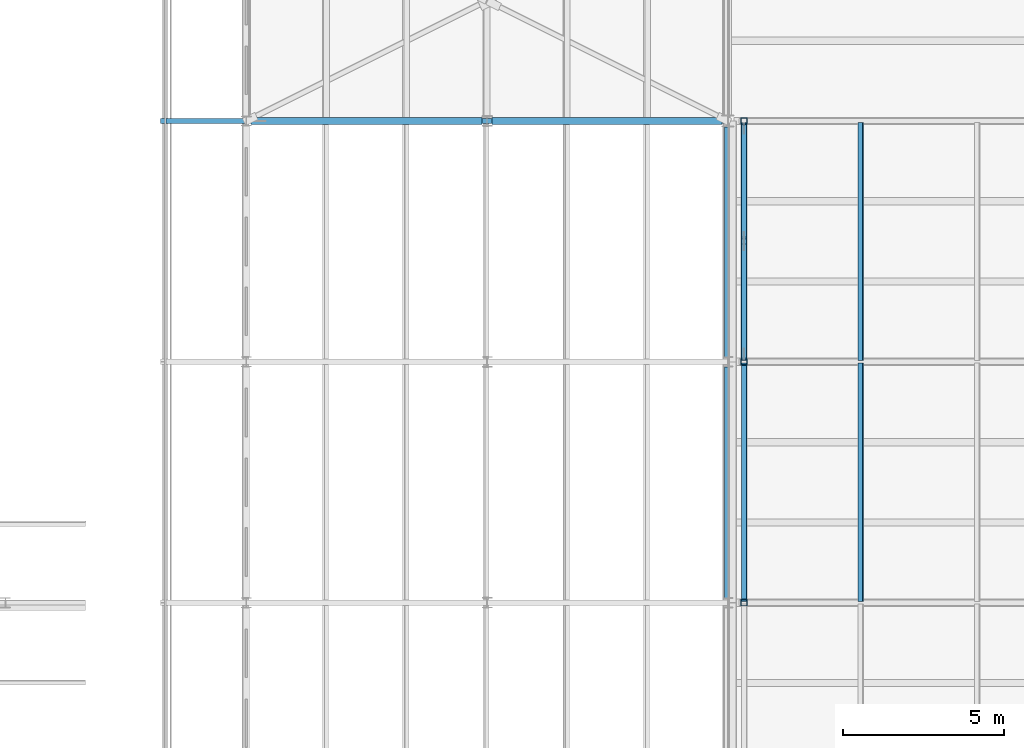
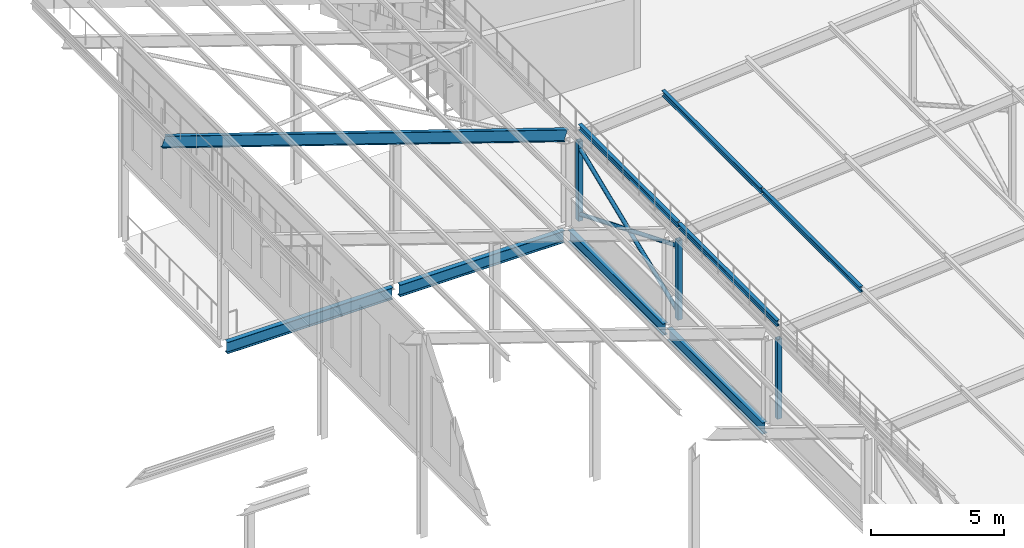
# One storey, part 71 of 483: 10 members, 5 beams.
"""IFC4 building model written with IfcOpenShell, lengths in metres."""

import ifcopenshell
import ifcopenshell.guid

model = None  # the IFC model being written
_history = None  # IfcOwnerHistory: only IFC2X3 demands one
_inside = {}  # id of a spatial element -> (the spatial element, [elements in it])
_under = {}  # id of a project, library or spatial element -> (it, [spatial elements below it])
_declared = {}  # id of a project -> (the project, [libraries it declares])
_typed = {}  # id of a type object -> (the type object, [elements of that type])
_made_of = {}  # id of a material, layer set ... -> (it, [elements and type objects made of it])


def new_model(schema):
    """Start an empty IFC model of exactly this schema.

    Asked for "IFC4X3", IfcOpenShell would pick the latest addendum, in which some entities
    have other attributes; the version numbers below select the first issue.
    IFC2X3 requires an IfcOwnerHistory on every rooted entity: one is made here for all.
    """
    global model, _history
    if schema == "IFC4X3":
        model = ifcopenshell.file(schema_version=(4, 3, 0, 0))
    else:
        model = ifcopenshell.file(schema=schema)
    _inside.clear()
    _under.clear()
    _declared.clear()
    _typed.clear()
    _made_of.clear()
    _history = None
    if model.schema == "IFC2X3":
        org = make("IfcOrganization", Name="unknown")
        user = make(
            "IfcPersonAndOrganization",
            ThePerson=make("IfcPerson", FamilyName="unknown"),
            TheOrganization=org,
        )
        app = make(
            "IfcApplication",
            ApplicationDeveloper=org,
            Version="unknown",
            ApplicationFullName="unknown",
            ApplicationIdentifier="unknown",
        )
        _history = make(
            "IfcOwnerHistory",
            OwningUser=user,
            OwningApplication=app,
            ChangeAction="ADDED",
            CreationDate=0,
        )
    return model


def make(cls, **values):
    """One entity of the class cls with the attributes given. An attribute that is None is left unset."""
    return model.create_entity(
        cls, **{name: value for name, value in values.items() if value is not None}
    )


def rooted(cls, **values):
    """An entity with a GlobalId (a new one), such as an element, a storey or a relation."""
    return make(cls, GlobalId=ifcopenshell.guid.new(), OwnerHistory=_history, **values)


def si_unit(unit_type, name, prefix=None):
    """IfcSIUnit, for example si_unit("LENGTHUNIT", "METRE", prefix="MILLI")."""
    return make("IfcSIUnit", UnitType=unit_type, Prefix=prefix, Name=name)


def assignment(units):
    """IfcUnitAssignment: the units of a project."""
    return None if units is None else make("IfcUnitAssignment", Units=units)


def point(xyz):
    """IfcCartesianPoint."""
    return None if xyz is None else make("IfcCartesianPoint", Coordinates=xyz)


def direction(xyz):
    """IfcDirection."""
    return None if xyz is None else make("IfcDirection", DirectionRatios=xyz)


def frame(location, z_axis=None, x_axis=None):
    """IfcAxis2Placement3D, a coordinate frame: its origin and axes. An axis left out is left unset."""
    return make(
        "IfcAxis2Placement3D",
        Location=point(location),
        Axis=direction(z_axis),
        RefDirection=direction(x_axis),
    )


def frame_2d(location, x_axis=None):
    """IfcAxis2Placement2D, a coordinate frame in the plane: its origin and x axis."""
    return make(
        "IfcAxis2Placement2D", Location=point(location), RefDirection=direction(x_axis)
    )


def origin():
    """The frame at (0, 0, 0) with its axes left unset."""
    return frame((0.0, 0.0, 0.0))


def origin_2d():
    """The frame at (0, 0) in the plane with its x axis left unset."""
    return frame_2d((0.0, 0.0))


def place(relative_to, where):
    """IfcLocalPlacement: puts the frame where relative to a parent placement (None: the world)."""
    return make(
        "IfcLocalPlacement", PlacementRelTo=relative_to, RelativePlacement=where
    )


def context(
    kind, dimensions, precision=None, world=None, true_north=None, identifier=None
):
    """IfcGeometricRepresentationContext, for example the 3D "Model" context."""
    return make(
        "IfcGeometricRepresentationContext",
        ContextIdentifier=identifier,
        ContextType=kind,
        CoordinateSpaceDimension=dimensions,
        Precision=precision,
        WorldCoordinateSystem=world,
        TrueNorth=true_north,
    )


def subcontext(parent, identifier, kind, view, scale=None):
    """IfcGeometricRepresentationSubContext, for example "Body" below "Model"."""
    return make(
        "IfcGeometricRepresentationSubContext",
        ContextIdentifier=identifier,
        ContextType=kind,
        ParentContext=parent,
        TargetScale=scale,
        TargetView=view,
    )


def project(units=None, contexts=None):
    """IfcProject with its units and contexts."""
    return rooted(
        "IfcProject",
        Name="project",
        RepresentationContexts=contexts,
        UnitsInContext=assignment(units),
    )


def spatial(cls, under=None, at=None, **own):
    """A site, building, storey or space (cls), placed at a placement, below another one or the project."""
    s = rooted(cls, ObjectPlacement=at, **own)
    if under is not None:
        _under.setdefault(under.id(), (under, []))[1].append(s)
    return s


def profile(cls, at=None, kind="AREA", **sizes):
    """A parametric profile (cls). Its sizes go by their IFC names, for example OverallWidth=200.0."""
    return make(cls, ProfileType=kind, Position=at, **sizes)


def hollow_rectangle(**sizes):
    """IfcRectangleHollowProfileDef."""
    return profile("IfcRectangleHollowProfileDef", **sizes)


def hollow_circle(**sizes):
    """IfcCircleHollowProfileDef."""
    return profile("IfcCircleHollowProfileDef", **sizes)


def i_section(**sizes):
    """IfcIShapeProfileDef."""
    return profile("IfcIShapeProfileDef", **sizes)


def extrude(swept, where, along, depth):
    """IfcExtrudedAreaSolid: the profile swept, set in the frame where, extruded along a direction by depth."""
    return make(
        "IfcExtrudedAreaSolid",
        SweptArea=swept,
        Position=where,
        ExtrudedDirection=direction(along),
        Depth=depth,
    )


def shape(context_of_items, identifier, shape_type, items):
    """IfcShapeRepresentation: the items that make up one representation, for example the "Body"."""
    return make(
        "IfcShapeRepresentation",
        ContextOfItems=context_of_items,
        RepresentationIdentifier=identifier,
        RepresentationType=shape_type,
        Items=items,
    )


def material(Name=None, Category=None):
    """IfcMaterial."""
    return make("IfcMaterial", Name=Name, Category=Category)


def material_profile(
    of_material, cross_section, Name=None, Category=None, Priority=None
):
    """IfcMaterialProfile: a cross section and its material."""
    return make(
        "IfcMaterialProfile",
        Name=Name,
        Material=of_material,
        Profile=cross_section,
        Priority=Priority,
        Category=Category,
    )


def profile_set(profiles, Name=None, composite=None):
    """IfcMaterialProfileSet."""
    return make(
        "IfcMaterialProfileSet",
        Name=Name,
        MaterialProfiles=profiles,
        CompositeProfile=composite,
    )


def made_of(thing, what):
    """Note that an element or type object is made of a material, layer set ...; save() writes the relation."""
    if what is not None:
        _made_of.setdefault(what.id(), (what, []))[1].append(thing)
    return thing


def type_object(cls, material=None, **own):
    """A type object (cls), such as IfcWallType, which elements share."""
    return made_of(rooted(cls, **own), material)


def element(
    cls,
    number,
    at=None,
    inside=None,
    cuts=None,
    type_object=None,
    material=None,
    context=None,
    identifier="Body",
    shape_type=None,
    held_by="IfcProductDefinitionShape",
    body=None,
    shapes=None,
    **own,
):
    """One element of the class cls, such as IfcWall. Its Tag is "e" and its number.

    at: its placement. inside: the storey or other place that contains it. cuts: it is an
    opening in that element (IfcRelVoidsElement). A single representation is given by context,
    identifier, shape_type and body (its items); several are given by shapes. held_by: the class
    of the entity that holds the representations. save() writes the other relations.
    """
    e = rooted(cls, Tag="e%d" % number, ObjectPlacement=at, **own)
    if body is not None:
        shapes = [shape(context, identifier, shape_type, body)]
    if shapes is not None:
        e.Representation = make(held_by, Representations=shapes)
    if inside is not None:
        _inside.setdefault(inside.id(), (inside, []))[1].append(e)
    if cuts is not None:
        rooted(
            "IfcRelVoidsElement", RelatingBuildingElement=cuts, RelatedOpeningElement=e
        )
    if type_object is not None:
        _typed.setdefault(type_object.id(), (type_object, []))[1].append(e)
    return made_of(e, material)


def aggregate(whole, parts):
    """IfcRelAggregates: a whole, such as a stair, and the parts it consists of."""
    return rooted("IfcRelAggregates", RelatingObject=whole, RelatedObjects=parts)


def save(model, path):
    """Write the relations noted so far, then the file.

    IfcRelAggregates (storeys below a building ...), IfcRelContainedInSpatialStructure (elements
    in a storey), IfcRelDefinesByType, IfcRelAssociatesMaterial and IfcRelDeclares: one each for
    every whole, place, type object, material and project.
    """
    for whole, parts in _under.values():
        aggregate(whole, parts)
    for where, things in _inside.values():
        rooted(
            "IfcRelContainedInSpatialStructure",
            RelatedElements=things,
            RelatingStructure=where,
        )
    for kind, things in _typed.values():
        rooted("IfcRelDefinesByType", RelatedObjects=things, RelatingType=kind)
    for what, things in _made_of.values():
        rooted("IfcRelAssociatesMaterial", RelatedObjects=things, RelatingMaterial=what)
    for by, libraries in _declared.values():
        rooted("IfcRelDeclares", RelatingContext=by, RelatedDefinitions=libraries)
    model.write(path)


model = new_model("IFC4")

# Units and contexts
model_context = context("Model", 3, precision=1e-05, world=origin(), true_north=direction((0.0, 1.0)))
body_context = subcontext(model_context, "Body", "Model", "MODEL_VIEW")
ifc_project = project(units=[si_unit("LENGTHUNIT", "METRE"), si_unit("AREAUNIT", "SQUARE_METRE"), si_unit("VOLUMEUNIT", "CUBIC_METRE"), si_unit("PLANEANGLEUNIT", "RADIAN"), si_unit("MASSUNIT", "GRAM", prefix="KILO")], contexts=[model_context])

# Site, building, storey
site_placement = place(None, origin())
site = spatial("IfcSite", under=ifc_project, at=site_placement, CompositionType="ELEMENT")
building_placement = place(site_placement, origin())
building = spatial("IfcBuilding", under=site, at=building_placement, Name="Parallax Yard Mobility Hub", CompositionType="ELEMENT")
storey_placement = place(building_placement, frame((0.0, 0.0, 13.199951171875)))
storey = spatial("IfcBuildingStorey", under=building, at=storey_placement, Name="L04", CompositionType="ELEMENT", Elevation=13.199951171875)

# Members
ifc_material_1 = material(Name="Steel ASTM A500 Gr C", Category="steel")
ifc_material_profile_1 = material_profile(ifc_material_1, hollow_circle(Radius=0.0888671875, WallThickness=0.0078125, at=origin_2d()), Name="HSS177.8x7.9")
ifc_profile_set_1 = profile_set([ifc_material_profile_1], Name="Steel ASTM A500 Gr C")
member_type_1 = type_object("IfcMemberType", Name="Canopy brace HSS177.8x7.9", PredefinedType="BRACE", material=ifc_profile_set_1)
member_placement = place(storey_placement, frame((195.5, 60.086669921875, 0.300048828125), z_axis=(0.0, 0.925869010623, 0.377844644222), x_axis=(-1.0, 0.0, 0.0)))
element("IfcMember", 1, at=member_placement, inside=storey, type_object=member_type_1, Name="Canopy X brace RA bay E-A bay 4 diagonal A", PredefinedType="BRACE", context=body_context, shape_type="SweptSolid", body=[
    extrude(hollow_circle(Radius=0.0888671875, WallThickness=0.0078125, at=origin_2d()), origin(), (0.0, 0.0, 1.0), 7.913330078125),
])
for number, where, z_axis, x_axis, name in (
    (2, (195.5, 67.413330078125, 0.300048828125), (0.0, -0.925875790589, 0.377828030196), (1.0, 0.0, 0.0), "Canopy X brace RA bay E-A bay 4 diagonal B part 1"),
    (3, (195.5, 63.6416015625, 1.83935546875), (0.0, -0.925875790589, 0.377828030196), (1.0, 0.0, 0.0), "Canopy X brace RA bay E-A bay 4 diagonal B part 2"),
):
    element("IfcMember", number, at=place(storey_placement, frame(where, z_axis=z_axis, x_axis=x_axis)), inside=storey, type_object=member_type_1, Name=name, PredefinedType="BRACE", context=body_context, shape_type="SweptSolid", body=[
        extrude(hollow_circle(Radius=0.0888671875, WallThickness=0.0078125, at=origin_2d()), origin(), (0.0, 0.0, 1.0), 3.839599609375),
    ])
ifc_material_profile_2 = material_profile(ifc_material_1, hollow_rectangle(XDim=0.203125, YDim=0.203125, WallThickness=0.009521484375, at=origin_2d()), Name="HSS203x203x9.5")
ifc_profile_set_2 = profile_set([ifc_material_profile_2], Name="Steel ASTM A500 Gr C")
member_type_2 = type_object("IfcMemberType", Name="Canopy post HSS203x203x9.5", PredefinedType="POST", material=ifc_profile_set_2)
for number, where, z_axis, x_axis, name in (
    (4, (195.5, 52.5, 0.0), (0.0, 0.0, 1.0), (1.0, 0.0, 0.0), "Canopy post RA/E-A3"),
    (5, (195.5, 60.0, 0.0), (0.0, 0.0, 1.0), (1.0, 0.0, 0.0), "Canopy post RA/E-A4"),
    (6, (195.5, 67.5, 0.0), (0.0, 0.0, 1.0), (1.0, 0.0, 0.0), "Canopy post RA/E-A5"),
):
    element("IfcMember", number, at=place(storey_placement, frame(where, z_axis=z_axis, x_axis=x_axis)), inside=storey, type_object=member_type_2, Name=name, PredefinedType="POST", context=body_context, shape_type="SweptSolid", body=[
        extrude(hollow_rectangle(XDim=0.203125, YDim=0.203125, WallThickness=0.009521484375, at=origin_2d()), origin(), (0.0, 0.0, 1.0), 3.650146484375),
    ])
ifc_material_2 = material(Name="Steel ASTM A992", Category="steel")
ifc_material_profile_3 = material_profile(ifc_material_2, i_section(OverallWidth=0.14794921875, OverallDepth=0.26611328125, WebThickness=0.007568359375, FlangeThickness=0.012939453125, at=origin_2d()), Name="W250x45")
ifc_profile_set_3 = profile_set([ifc_material_profile_3], Name="Steel ASTM A992")
member_type_3 = type_object("IfcMemberType", Name="Canopy purlin W250x45", PredefinedType="PURLIN", material=ifc_profile_set_3)
for number, where, z_axis, x_axis, name in (
    (7, (195.510498046875, 52.5400390625, 4.302001953125), (0.0, 1.0, 0.0), (-0.996815308126, 0.0, -0.079744852409), "Canopy purlin sector E-A bay 3 line 1"),
    (8, (199.135498046875, 52.5400390625, 4.592041015625), (0.0, 1.0, 0.0), (-0.996815308126, 0.0, -0.079744852409), "Canopy purlin sector E-A bay 3 line 2"),
    (9, (195.510498046875, 60.0400390625, 4.302001953125), (0.0, 1.0, 0.0), (-0.996815308126, 0.0, -0.079744852409), "Canopy purlin sector E-A bay 4 line 1"),
    (10, (199.135498046875, 60.0400390625, 4.592041015625), (0.0, 1.0, 0.0), (-0.996815308126, 0.0, -0.079744852409), "Canopy purlin sector E-A bay 4 line 2"),
):
    element("IfcMember", number, at=place(storey_placement, frame(where, z_axis=z_axis, x_axis=x_axis)), inside=storey, type_object=member_type_3, Name=name, PredefinedType="PURLIN", context=body_context, shape_type="SweptSolid", body=[
        extrude(i_section(OverallWidth=0.14794921875, OverallDepth=0.26611328125, WebThickness=0.007568359375, FlangeThickness=0.012939453125, at=origin_2d()), origin(), (0.0, 0.0, 1.0), 7.419921875),
    ])

# Beams
ifc_material_profile_4 = material_profile(ifc_material_2, i_section(OverallWidth=0.166015625, OverallDepth=0.529052734375, WebThickness=0.009765625, FlangeThickness=0.013671875, at=origin_2d()), Name="W530x74")
ifc_profile_set_4 = profile_set([ifc_material_profile_4], Name="Steel ASTM A992")
beam_type_1 = type_object("IfcBeamType", Name="Roof rafter W530x74", PredefinedType="BEAM", material=ifc_profile_set_4)
beam_1_placement = place(storey_placement, frame((177.41650390625, 67.5, 9.93994140625), z_axis=(0.948684621542, 0.0, -0.316223795515), x_axis=(0.0, 1.0, 0.0)))
element("IfcBeam", 11, at=beam_1_placement, inside=storey, type_object=beam_type_1, Name="Roof rafter at y 67.5", PredefinedType="BEAM", context=body_context, shape_type="SweptSolid", body=[
    extrude(i_section(OverallWidth=0.166015625, OverallDepth=0.529052734375, WebThickness=0.009765625, FlangeThickness=0.013671875, at=origin_2d()), origin(), (0.0, 0.0, 1.0), 18.446533203125),
])
ifc_material_profile_5 = material_profile(ifc_material_2, i_section(OverallWidth=0.208984375, OverallDepth=0.532958984375, WebThickness=0.01025390625, FlangeThickness=0.015625, FilletRadius=0.0126953125, at=origin_2d()), Name="W530x92")
ifc_profile_set_5 = profile_set([ifc_material_profile_5], Name="Steel ASTM A992")
beam_type_2 = type_object("IfcBeamType", Name="W530x92 edge beam", PredefinedType="SPANDREL", material=ifc_profile_set_5)
beam_2_placement = place(storey_placement, frame((195.0, 52.652587890625, -0.406494140625), z_axis=(0.0, 1.0, 0.0), x_axis=(-1.0, 0.0, 0.0)))
element("IfcBeam", 12, at=beam_2_placement, inside=storey, type_object=beam_type_2, Name="Edge beam SB5 level L04, line 27 of ramped parking decks, span 4", PredefinedType="SPANDREL", context=body_context, shape_type="SweptSolid", body=[
    extrude(i_section(OverallWidth=0.208984375, OverallDepth=0.532958984375, WebThickness=0.01025390625, FlangeThickness=0.015625, FilletRadius=0.0126953125, at=origin_2d()), origin(), (0.0, 0.0, 1.0), 7.19482421875),
])
beam_3_placement = place(storey_placement, frame((195.0, 60.152587890625, -0.406494140625), z_axis=(0.0, 1.0, 0.0), x_axis=(-1.0, 0.0, 0.0)))
element("IfcBeam", 13, at=beam_3_placement, inside=storey, type_object=beam_type_2, Name="Edge beam SB5 level L04, line 27 of ramped parking decks, span 5", PredefinedType="SPANDREL", context=body_context, shape_type="SweptSolid", body=[
    extrude(i_section(OverallWidth=0.208984375, OverallDepth=0.532958984375, WebThickness=0.01025390625, FlangeThickness=0.015625, FilletRadius=0.0126953125, at=origin_2d()), origin(), (0.0, 0.0, 1.0), 7.160888671875),
])
ifc_material_profile_6 = material_profile(ifc_material_2, i_section(OverallWidth=0.208984375, OverallDepth=0.532958984375, WebThickness=0.01025390625, FlangeThickness=0.015625, FilletRadius=0.0126953125, at=origin_2d()), Name="W530x92")
ifc_profile_set_6 = profile_set([ifc_material_profile_6], Name="Steel ASTM A992")
beam_type_3 = type_object("IfcBeamType", Name="W530x92 girder", PredefinedType="BEAM", material=ifc_profile_set_6)
beam_4_placement = place(storey_placement, frame((180.152587890625, 67.5, -0.47802734375), z_axis=(1.0, 0.0, 0.0), x_axis=(0.0, 1.0, 0.0)))
element("IfcBeam", 14, at=beam_4_placement, inside=storey, type_object=beam_type_3, Name="Girder G2 level L04, line K of ramp house, span 1", PredefinedType="BEAM", context=body_context, shape_type="SweptSolid", body=[
    extrude(i_section(OverallWidth=0.208984375, OverallDepth=0.532958984375, WebThickness=0.01025390625, FlangeThickness=0.015625, FilletRadius=0.0126953125, at=origin_2d()), origin(), (0.0, 0.0, 1.0), 7.1923828125),
])
beam_5_placement = place(storey_placement, frame((187.655029296875, 67.5, -0.47802734375), z_axis=(1.0, 0.0, 0.0), x_axis=(0.0, 1.0, 0.0)))
element("IfcBeam", 15, at=beam_5_placement, inside=storey, type_object=beam_type_3, Name="Girder G2 level L04, line K of ramp house, span 2", PredefinedType="BEAM", context=body_context, shape_type="SweptSolid", body=[
    extrude(i_section(OverallWidth=0.208984375, OverallDepth=0.532958984375, WebThickness=0.01025390625, FlangeThickness=0.015625, FilletRadius=0.0126953125, at=origin_2d()), origin(), (0.0, 0.0, 1.0), 7.160888671875),
])

save(model, "model.ifc")
